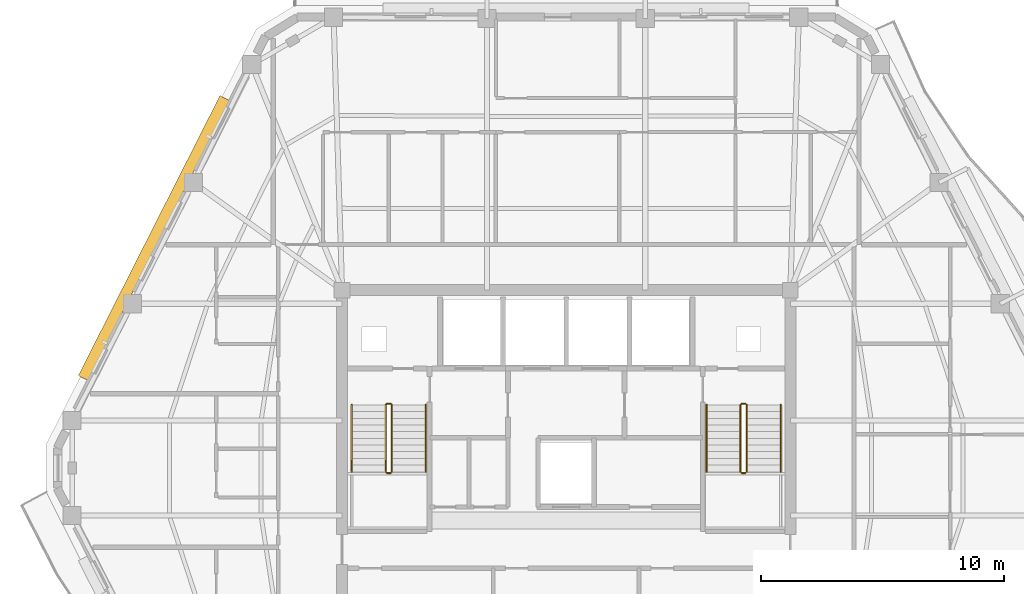
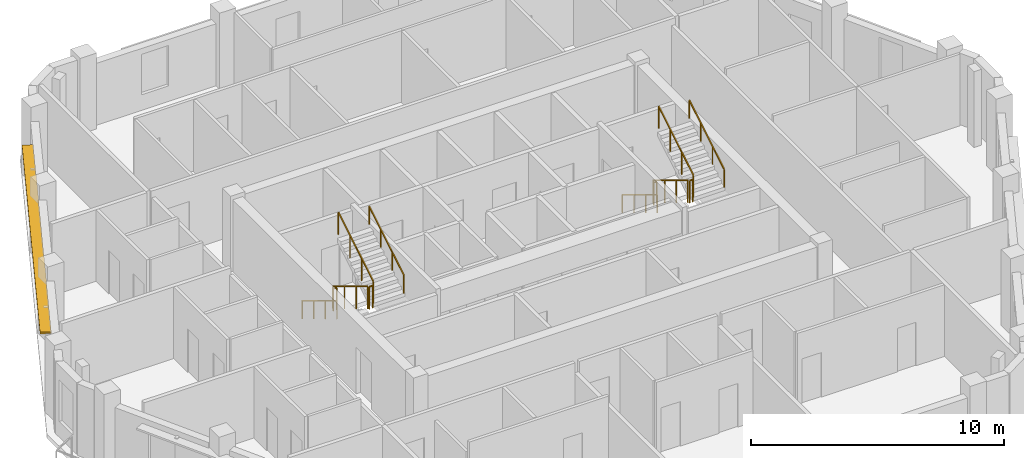
# One storey, part 10 of 11: 12 railings, 1 shading device.
"""IFC4 building model written with IfcOpenShell, lengths in metres."""

from ifc_helpers import new_model, si_unit, direction, frame, origin, origin_2d, place, context, subcontext, project, spatial, rectangle, extrude, material, layer, layer_set, type_object, element, save


model = new_model("IFC4")

# Units and contexts
model_context = context("Model", 3, precision=1e-05, world=origin(), true_north=direction((0.0, 1.0)))
body_context = subcontext(model_context, "Body", "Model", "MODEL_VIEW")
ifc_project = project(units=[si_unit("LENGTHUNIT", "METRE"), si_unit("AREAUNIT", "SQUARE_METRE"), si_unit("VOLUMEUNIT", "CUBIC_METRE"), si_unit("PLANEANGLEUNIT", "RADIAN"), si_unit("MASSUNIT", "GRAM", prefix="KILO")], contexts=[model_context])

# Site, building, storey
site_placement = place(None, origin())
site = spatial("IfcSite", under=ifc_project, at=site_placement, CompositionType="ELEMENT")
building_placement = place(site_placement, origin())
building = spatial("IfcBuilding", under=site, at=building_placement, Name="Cinnabar Lancet Tower", CompositionType="ELEMENT")
storey_placement = place(building_placement, frame((0.0, 0.0, 241.60009765625)))
storey = spatial("IfcBuildingStorey", under=building, at=storey_placement, Name="L64", CompositionType="ELEMENT", Elevation=241.60009765625)

# Shading device
ifc_material_1 = material(Name="Pale limestone architectural aluminium sunshade", Category="masonry")
ifc_layer = layer(ifc_material_1, 0.080078125)
ifc_layer_set = layer_set([ifc_layer], Name="Pale limestone architectural aluminium sunshade")
shading_device_type = type_object("IfcShadingDeviceType", Name="ENV-SHD-LVR-450", PredefinedType="JALOUSIE", material=ifc_layer_set)
shading_device_placement = place(storey_placement, frame((15.43603515625, 35.27001953125, 2.639892578125), z_axis=(0.0, 0.0, 1.0), x_axis=(-0.451375984307, -0.89233386173, 0.0)))
element("IfcShadingDevice", 1, at=shading_device_placement, inside=storey, type_object=shading_device_type, Name="L64 Face 5 Horizontal Sunshade Canopy", PredefinedType="JALOUSIE", context=body_context, shape_type="SweptSolid", body=[
    extrude(rectangle(XDim=12.912109375, YDim=0.449951171875, at=origin_2d()), origin(), (0.0, 0.0, 1.0), 0.080078125),
])

# Railings
ifc_material_2 = material(Name="Painted galvanized steel balustrade", Category="steel")
railing_type_1 = type_object("IfcRailingType", Name="GUARD-STAIR", PredefinedType="GUARDRAIL", material=ifc_material_2)
railing_1_placement = place(storey_placement, frame((24.97509765625, 28.39990234375, 0.165771484375)))
element("IfcRailing", 2, at=railing_1_placement, inside=storey, type_object=railing_type_1, Name="L64 ST-1 stair guard 1", PredefinedType="GUARDRAIL", context=body_context, shape_type="SweptSolid", body=[
    extrude(rectangle(XDim=0.048095703125, YDim=0.048095703125, at=origin_2d()), frame((0.0, 0.0, 1.076171875), z_axis=(0.0, -0.856229400918, 0.51659579267), x_axis=(1.0, 0.0, 0.0)), (0.0, 0.0, 1.0), 3.211669921875),
    extrude(rectangle(XDim=0.0419921875, YDim=0.0419921875, at=origin_2d()), origin(), (0.0, 0.0, 1.0), 1.052001953125),
    extrude(rectangle(XDim=0.0419921875, YDim=0.0419921875, at=origin_2d()), frame((0.0, -0.916748046875, 0.552978515625)), (0.0, 0.0, 1.0), 1.052001953125),
    extrude(rectangle(XDim=0.0419921875, YDim=0.0419921875, at=origin_2d()), frame((0.0, -1.833251953125, 1.106201171875)), (0.0, 0.0, 1.0), 1.052001953125),
    extrude(rectangle(XDim=0.0419921875, YDim=0.0419921875, at=origin_2d()), frame((0.0, -2.75, 1.6591796875)), (0.0, 0.0, 1.0), 1.052001953125),
])
railing_2_placement = place(storey_placement, frame((25.02490234375, 25.60009765625, 1.824951171875)))
element("IfcRailing", 3, at=railing_2_placement, inside=storey, type_object=railing_type_1, Name="L64 ST-1 stair guard 2", PredefinedType="GUARDRAIL", context=body_context, shape_type="SweptSolid", body=[
    extrude(rectangle(XDim=0.048095703125, YDim=0.048095703125, at=origin_2d()), frame((0.0, 0.0, 1.076171875), z_axis=(1.0, 0.0, 0.0), x_axis=(0.0, 1.0, 0.0)), (0.0, 0.0, 1.0), 0.150146484375),
    extrude(rectangle(XDim=0.0419921875, YDim=0.0419921875, at=origin_2d()), origin(), (0.0, 0.0, 1.0), 1.052001953125),
    extrude(rectangle(XDim=0.0419921875, YDim=0.0419921875, at=origin_2d()), frame((0.150146484375, 0.0, 0.0)), (0.0, 0.0, 1.0), 1.052001953125),
])
railing_3_placement = place(storey_placement, frame((25.22509765625, 25.64990234375, 1.99072265625)))
element("IfcRailing", 4, at=railing_3_placement, inside=storey, type_object=railing_type_1, Name="L64 ST-1 stair guard 3", PredefinedType="GUARDRAIL", context=body_context, shape_type="SweptSolid", body=[
    extrude(rectangle(XDim=0.048095703125, YDim=0.048095703125, at=origin_2d()), frame((0.0, 0.0, 1.076171875), z_axis=(0.0, 0.856229400918, 0.51659579267), x_axis=(-1.0, 0.0, 0.0)), (0.0, 0.0, 1.0), 3.211669921875),
    extrude(rectangle(XDim=0.0419921875, YDim=0.0419921875, at=origin_2d()), origin(), (0.0, 0.0, 1.0), 1.052001953125),
    extrude(rectangle(XDim=0.0419921875, YDim=0.0419921875, at=origin_2d()), frame((0.0, 0.916748046875, 0.552978515625)), (0.0, 0.0, 1.0), 1.052001953125),
    extrude(rectangle(XDim=0.0419921875, YDim=0.0419921875, at=origin_2d()), frame((0.0, 1.833251953125, 1.106201171875)), (0.0, 0.0, 1.0), 1.052001953125),
    extrude(rectangle(XDim=0.0419921875, YDim=0.0419921875, at=origin_2d()), frame((0.0, 2.75, 1.6591796875)), (0.0, 0.0, 1.0), 1.052001953125),
])
railing_4_placement = place(storey_placement, frame((25.02490234375, 28.449951171875, 0.0)))
element("IfcRailing", 5, at=railing_4_placement, inside=storey, type_object=railing_type_1, Name="L64 ST-1 stair guard 4", PredefinedType="GUARDRAIL", context=body_context, shape_type="SweptSolid", body=[
    extrude(rectangle(XDim=0.048095703125, YDim=0.048095703125, at=origin_2d()), frame((0.0, 0.0, 1.076171875), z_axis=(1.0, 0.0, 0.0), x_axis=(0.0, 1.0, 0.0)), (0.0, 0.0, 1.0), 0.150146484375),
    extrude(rectangle(XDim=0.0419921875, YDim=0.0419921875, at=origin_2d()), origin(), (0.0, 0.0, 1.0), 1.052001953125),
    extrude(rectangle(XDim=0.0419921875, YDim=0.0419921875, at=origin_2d()), frame((0.150146484375, 0.0, 0.0)), (0.0, 0.0, 1.0), 1.052001953125),
])
railing_5_placement = place(storey_placement, frame((39.574951171875, 28.39990234375, 0.165771484375)))
element("IfcRailing", 6, at=railing_5_placement, inside=storey, type_object=railing_type_1, Name="L64 ST-2 stair guard 1", PredefinedType="GUARDRAIL", context=body_context, shape_type="SweptSolid", body=[
    extrude(rectangle(XDim=0.048095703125, YDim=0.048095703125, at=origin_2d()), frame((0.0, 0.0, 1.076171875), z_axis=(0.0, -0.856229400918, 0.51659579267), x_axis=(1.0, 0.0, 0.0)), (0.0, 0.0, 1.0), 3.211669921875),
    extrude(rectangle(XDim=0.0419921875, YDim=0.0419921875, at=origin_2d()), origin(), (0.0, 0.0, 1.0), 1.052001953125),
    extrude(rectangle(XDim=0.0419921875, YDim=0.0419921875, at=origin_2d()), frame((0.0, -0.916748046875, 0.552978515625)), (0.0, 0.0, 1.0), 1.052001953125),
    extrude(rectangle(XDim=0.0419921875, YDim=0.0419921875, at=origin_2d()), frame((0.0, -1.833251953125, 1.106201171875)), (0.0, 0.0, 1.0), 1.052001953125),
    extrude(rectangle(XDim=0.0419921875, YDim=0.0419921875, at=origin_2d()), frame((0.0, -2.75, 1.6591796875)), (0.0, 0.0, 1.0), 1.052001953125),
])
railing_6_placement = place(storey_placement, frame((39.625, 25.60009765625, 1.824951171875)))
element("IfcRailing", 7, at=railing_6_placement, inside=storey, type_object=railing_type_1, Name="L64 ST-2 stair guard 2", PredefinedType="GUARDRAIL", context=body_context, shape_type="SweptSolid", body=[
    extrude(rectangle(XDim=0.048095703125, YDim=0.048095703125, at=origin_2d()), frame((0.0, 0.0, 1.076171875), z_axis=(1.0, 0.0, 0.0), x_axis=(0.0, 1.0, 0.0)), (0.0, 0.0, 1.0), 0.14990234375),
    extrude(rectangle(XDim=0.0419921875, YDim=0.0419921875, at=origin_2d()), origin(), (0.0, 0.0, 1.0), 1.052001953125),
    extrude(rectangle(XDim=0.0419921875, YDim=0.0419921875, at=origin_2d()), frame((0.14990234375, 0.0, 0.0)), (0.0, 0.0, 1.0), 1.052001953125),
])
railing_7_placement = place(storey_placement, frame((39.824951171875, 25.64990234375, 1.99072265625)))
element("IfcRailing", 8, at=railing_7_placement, inside=storey, type_object=railing_type_1, Name="L64 ST-2 stair guard 3", PredefinedType="GUARDRAIL", context=body_context, shape_type="SweptSolid", body=[
    extrude(rectangle(XDim=0.048095703125, YDim=0.048095703125, at=origin_2d()), frame((0.0, 0.0, 1.076171875), z_axis=(0.0, 0.856229400918, 0.51659579267), x_axis=(-1.0, 0.0, 0.0)), (0.0, 0.0, 1.0), 3.211669921875),
    extrude(rectangle(XDim=0.0419921875, YDim=0.0419921875, at=origin_2d()), origin(), (0.0, 0.0, 1.0), 1.052001953125),
    extrude(rectangle(XDim=0.0419921875, YDim=0.0419921875, at=origin_2d()), frame((0.0, 0.916748046875, 0.552978515625)), (0.0, 0.0, 1.0), 1.052001953125),
    extrude(rectangle(XDim=0.0419921875, YDim=0.0419921875, at=origin_2d()), frame((0.0, 1.833251953125, 1.106201171875)), (0.0, 0.0, 1.0), 1.052001953125),
    extrude(rectangle(XDim=0.0419921875, YDim=0.0419921875, at=origin_2d()), frame((0.0, 2.75, 1.6591796875)), (0.0, 0.0, 1.0), 1.052001953125),
])
railing_8_placement = place(storey_placement, frame((39.625, 28.449951171875, 0.0)))
element("IfcRailing", 9, at=railing_8_placement, inside=storey, type_object=railing_type_1, Name="L64 ST-2 stair guard 4", PredefinedType="GUARDRAIL", context=body_context, shape_type="SweptSolid", body=[
    extrude(rectangle(XDim=0.048095703125, YDim=0.048095703125, at=origin_2d()), frame((0.0, 0.0, 1.076171875), z_axis=(1.0, 0.0, 0.0), x_axis=(0.0, 1.0, 0.0)), (0.0, 0.0, 1.0), 0.14990234375),
    extrude(rectangle(XDim=0.0419921875, YDim=0.0419921875, at=origin_2d()), origin(), (0.0, 0.0, 1.0), 1.052001953125),
    extrude(rectangle(XDim=0.0419921875, YDim=0.0419921875, at=origin_2d()), frame((0.14990234375, 0.0, 0.0)), (0.0, 0.0, 1.0), 1.052001953125),
])
ifc_material_3 = material(Name="Brushed stainless steel handrail", Category="steel")
railing_type_2 = type_object("IfcRailingType", Name="HANDRAIL-STAIR", PredefinedType="HANDRAIL", material=ifc_material_3)
railing_9_placement = place(storey_placement, frame((23.574951171875, 28.39990234375, 0.165771484375)))
element("IfcRailing", 10, at=railing_9_placement, inside=storey, type_object=railing_type_2, Name="L64 ST-1 stair handrail 1", PredefinedType="HANDRAIL", context=body_context, shape_type="SweptSolid", body=[
    extrude(rectangle(XDim=0.048095703125, YDim=0.048095703125, at=origin_2d()), frame((0.0, 0.0, 0.8759765625), z_axis=(0.0, -0.856229400918, 0.51659579267), x_axis=(1.0, 0.0, 0.0)), (0.0, 0.0, 1.0), 3.211669921875),
    extrude(rectangle(XDim=0.0419921875, YDim=0.0419921875, at=origin_2d()), origin(), (0.0, 0.0, 1.0), 0.851806640625),
    extrude(rectangle(XDim=0.0419921875, YDim=0.0419921875, at=origin_2d()), frame((0.0, -0.916748046875, 0.552978515625)), (0.0, 0.0, 1.0), 0.851806640625),
    extrude(rectangle(XDim=0.0419921875, YDim=0.0419921875, at=origin_2d()), frame((0.0, -1.833251953125, 1.106201171875)), (0.0, 0.0, 1.0), 0.851806640625),
    extrude(rectangle(XDim=0.0419921875, YDim=0.0419921875, at=origin_2d()), frame((0.0, -2.75, 1.6591796875)), (0.0, 0.0, 1.0), 0.851806640625),
])
railing_10_placement = place(storey_placement, frame((26.625, 25.64990234375, 1.99072265625)))
element("IfcRailing", 11, at=railing_10_placement, inside=storey, type_object=railing_type_2, Name="L64 ST-1 stair handrail 2", PredefinedType="HANDRAIL", context=body_context, shape_type="SweptSolid", body=[
    extrude(rectangle(XDim=0.048095703125, YDim=0.048095703125, at=origin_2d()), frame((0.0, 0.0, 0.8759765625), z_axis=(0.0, 0.856229400918, 0.51659579267), x_axis=(-1.0, 0.0, 0.0)), (0.0, 0.0, 1.0), 3.211669921875),
    extrude(rectangle(XDim=0.0419921875, YDim=0.0419921875, at=origin_2d()), origin(), (0.0, 0.0, 1.0), 0.851806640625),
    extrude(rectangle(XDim=0.0419921875, YDim=0.0419921875, at=origin_2d()), frame((0.0, 0.916748046875, 0.552978515625)), (0.0, 0.0, 1.0), 0.851806640625),
    extrude(rectangle(XDim=0.0419921875, YDim=0.0419921875, at=origin_2d()), frame((0.0, 1.833251953125, 1.106201171875)), (0.0, 0.0, 1.0), 0.851806640625),
    extrude(rectangle(XDim=0.0419921875, YDim=0.0419921875, at=origin_2d()), frame((0.0, 2.75, 1.6591796875)), (0.0, 0.0, 1.0), 0.851806640625),
])
railing_11_placement = place(storey_placement, frame((38.175048828125, 28.39990234375, 0.165771484375)))
element("IfcRailing", 12, at=railing_11_placement, inside=storey, type_object=railing_type_2, Name="L64 ST-2 stair handrail 1", PredefinedType="HANDRAIL", context=body_context, shape_type="SweptSolid", body=[
    extrude(rectangle(XDim=0.048095703125, YDim=0.048095703125, at=origin_2d()), frame((0.0, 0.0, 0.8759765625), z_axis=(0.0, -0.856229400918, 0.51659579267), x_axis=(1.0, 0.0, 0.0)), (0.0, 0.0, 1.0), 3.211669921875),
    extrude(rectangle(XDim=0.0419921875, YDim=0.0419921875, at=origin_2d()), origin(), (0.0, 0.0, 1.0), 0.851806640625),
    extrude(rectangle(XDim=0.0419921875, YDim=0.0419921875, at=origin_2d()), frame((0.0, -0.916748046875, 0.552978515625)), (0.0, 0.0, 1.0), 0.851806640625),
    extrude(rectangle(XDim=0.0419921875, YDim=0.0419921875, at=origin_2d()), frame((0.0, -1.833251953125, 1.106201171875)), (0.0, 0.0, 1.0), 0.851806640625),
    extrude(rectangle(XDim=0.0419921875, YDim=0.0419921875, at=origin_2d()), frame((0.0, -2.75, 1.6591796875)), (0.0, 0.0, 1.0), 0.851806640625),
])
railing_12_placement = place(storey_placement, frame((41.22509765625, 25.64990234375, 1.99072265625)))
element("IfcRailing", 13, at=railing_12_placement, inside=storey, type_object=railing_type_2, Name="L64 ST-2 stair handrail 2", PredefinedType="HANDRAIL", context=body_context, shape_type="SweptSolid", body=[
    extrude(rectangle(XDim=0.048095703125, YDim=0.048095703125, at=origin_2d()), frame((0.0, 0.0, 0.8759765625), z_axis=(0.0, 0.856229400918, 0.51659579267), x_axis=(-1.0, 0.0, 0.0)), (0.0, 0.0, 1.0), 3.211669921875),
    extrude(rectangle(XDim=0.0419921875, YDim=0.0419921875, at=origin_2d()), origin(), (0.0, 0.0, 1.0), 0.851806640625),
    extrude(rectangle(XDim=0.0419921875, YDim=0.0419921875, at=origin_2d()), frame((0.0, 0.916748046875, 0.552978515625)), (0.0, 0.0, 1.0), 0.851806640625),
    extrude(rectangle(XDim=0.0419921875, YDim=0.0419921875, at=origin_2d()), frame((0.0, 1.833251953125, 1.106201171875)), (0.0, 0.0, 1.0), 0.851806640625),
    extrude(rectangle(XDim=0.0419921875, YDim=0.0419921875, at=origin_2d()), frame((0.0, 2.75, 1.6591796875)), (0.0, 0.0, 1.0), 0.851806640625),
])

save(model, "model.ifc")
